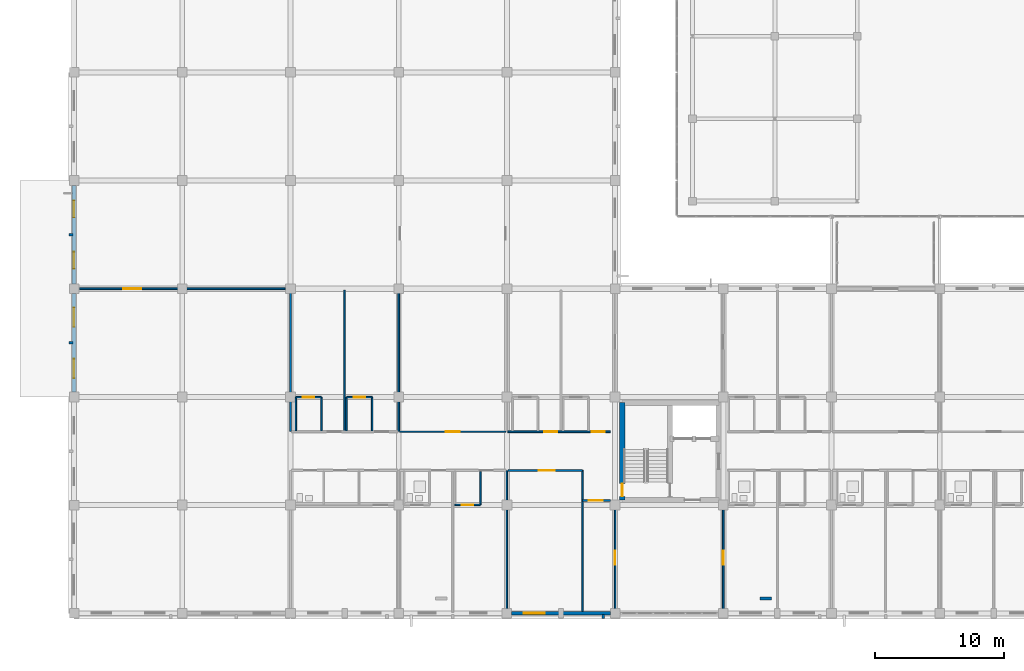
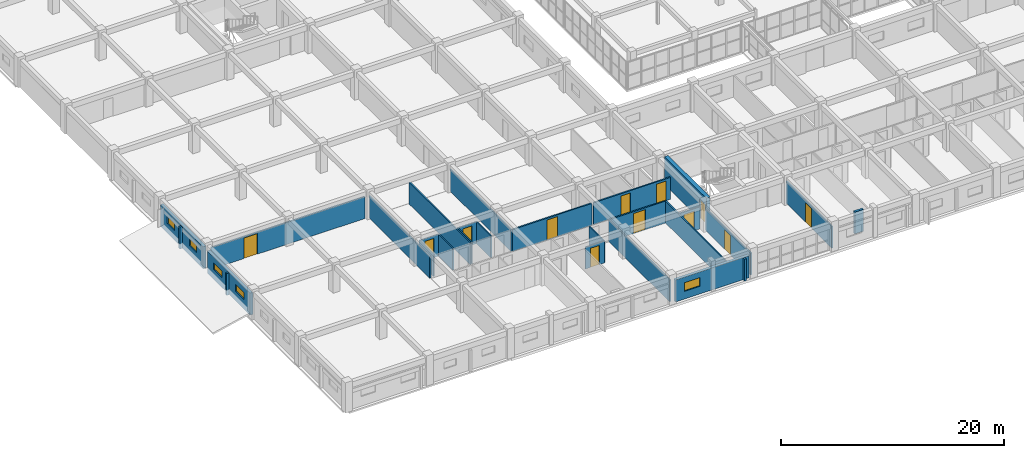
# One storey, part 163 of 200: 28 walls, 12 doors, 5 windows, 17 openings.
"""IFC4 building model written with IfcOpenShell, lengths in metres."""

from ifc_helpers import new_model, si_unit, direction, frame, frame_2d, origin, place, context, subcontext, project, spatial, rectangle, extrude, material, layer, layer_set, type_object, element, fill, save


model = new_model("IFC4")

# Units and contexts
model_context = context("Model", 3, precision=1e-05, world=origin(), true_north=direction((0.0, 1.0)))
body_context = subcontext(model_context, "Body", "Model", "MODEL_VIEW")
ifc_project = project(units=[si_unit("LENGTHUNIT", "METRE"), si_unit("AREAUNIT", "SQUARE_METRE"), si_unit("VOLUMEUNIT", "CUBIC_METRE"), si_unit("PLANEANGLEUNIT", "RADIAN"), si_unit("MASSUNIT", "GRAM", prefix="KILO")], contexts=[model_context])

# Site, building, storey
site_placement = place(None, origin())
site = spatial("IfcSite", under=ifc_project, at=site_placement, CompositionType="ELEMENT")
building_placement = place(site_placement, origin())
building = spatial("IfcBuilding", under=site, at=building_placement, Name="Trelvath General Hospital", CompositionType="ELEMENT")
storey_placement = place(building_placement, frame((0.0, 0.0, 4.800048828125)))
storey = spatial("IfcBuildingStorey", under=building, at=storey_placement, Name="L01", CompositionType="ELEMENT", Elevation=4.800048828125)

# Walls
ifc_material_1 = material(Name="Precast concrete C40/50", Category="concrete")
ifc_layer_1 = layer(ifc_material_1, 0.199951171875)
ifc_layer_set_1 = layer_set([ifc_layer_1], Name="Precast concrete C40/50")
wall_type_1 = type_object("IfcWallType", Name="BriseSoleilRib 200", PredefinedType="ELEMENTEDWALL", material=ifc_layer_set_1)
for number, where, z_axis, x_axis, name in (
    (1, (-0.074951171875, 21.0, 0.0), (0.0, 0.0, 1.0), (-1.0, 0.0, 0.0), "Precast Concrete Brise-Soleil Rib Fin L01-74"),
    (2, (-0.074951171875, 29.39990234375, 0.0), (0.0, 0.0, 1.0), (-1.0, 0.0, 0.0), "Precast Concrete Brise-Soleil Rib Fin L01-75"),
    (3, (41.09375, -0.074951171875, 0.0), (0.0, 0.0, 1.0), (0.0, -1.0, 0.0), "Precast Concrete Brise-Soleil Rib Fin L01-91"),
):
    element("IfcWall", number, at=place(storey_placement, frame(where, z_axis=z_axis, x_axis=x_axis)), inside=storey, type_object=wall_type_1, Name=name, PredefinedType="ELEMENTEDWALL", context=body_context, shape_type="SweptSolid", body=[
        extrude(rectangle(XDim=0.340087890625, YDim=0.199951171875, at=frame_2d((0.169921875, 0.0))), origin(), (0.0, 0.0, 1.0), 2.39990234375),
    ])

# Wall, opening, door
ifc_material_2 = material(Name="Gypsum acoustic steel-stud partition", Category="steel")
ifc_layer_2 = layer(ifc_material_2, 0.14990234375)
ifc_layer_set_2 = layer_set([ifc_layer_2], Name="Gypsum acoustic steel-stud partition")
wall_type_2 = type_object("IfcWallType", Name="ClinicalPartition 150", PredefinedType="PARTITIONING", material=ifc_layer_set_2)
wall_1_placement = place(storey_placement, frame((33.52001953125, 14.10009765625, 0.0), z_axis=(0.0, 0.0, 1.0), x_axis=(-1.0, 0.0, 0.0)))
wall_1 = element("IfcWall", 4, at=wall_1_placement, inside=storey, type_object=wall_type_2, Name="Corridor Partition N L01-371", PredefinedType="PARTITIONING", context=body_context, shape_type="SweptSolid", body=[
    extrude(rectangle(XDim=8.239990234375, YDim=0.14990234375, at=frame_2d((4.1201171875, 0.0))), origin(), (0.0, 0.0, 1.0), 2.39990234375),
])
opening_1_placement = place(wall_1_placement, frame((3.570068359375, 0.0, 0.0)))
opening_1 = element("IfcOpeningElement", 5, at=opening_1_placement, cuts=wall_1, Name="Opening D-1-0470", PredefinedType="OPENING", context=body_context, shape_type="SweptSolid", body=[
    extrude(rectangle(XDim=1.10009765625, YDim=2.199951171875, at=frame_2d((0.550048828125, 1.10009765625))), frame((0.0, 0.0849609375, 0.0), z_axis=(0.0, -1.0, 0.0), x_axis=(1.0, 0.0, 0.0)), (0.0, 0.0, 1.0), 0.169921875),
])
ifc_material_3 = material(Name="Phenolic laboratory door")
door_type_1 = type_object("IfcDoorType", Name="Door Lab 1100x2200", OperationType="NOTDEFINED", PredefinedType="DOOR", material=ifc_material_3)
door_1_placement = place(opening_1_placement, origin())
door_1 = element("IfcDoor", 6, at=door_1_placement, inside=storey, type_object=door_type_1, Name="Clinical Room Door L01-470", OperationType="SINGLE_SWING_RIGHT", OverallHeight=2.199951171875, OverallWidth=1.10009765625, PredefinedType="DOOR", context=body_context, shape_type="SweptSolid", body=[
    extrude(rectangle(XDim=1.10009765625, YDim=2.199951171875, at=frame_2d((0.550048828125, 1.10009765625))), frame((0.0, 0.02490234375, 0.0), z_axis=(0.0, -1.0, 0.0), x_axis=(1.0, 0.0, 0.0)), (0.0, 0.0, 1.0), 0.050048828125),
])
fill(opening_1, door_1)

wall_2_placement = place(storey_placement, frame((33.679931640625, 11.10009765625, 0.0), z_axis=(0.0, 0.0, 1.0), x_axis=(1.0, 0.0, 0.0)))
wall_2 = element("IfcWall", 7, at=wall_2_placement, inside=storey, type_object=wall_type_2, Name="Nurse Station Partition L01-374", PredefinedType="PARTITIONING", context=body_context, shape_type="SweptSolid", body=[
    extrude(rectangle(XDim=5.780029296875, YDim=0.14990234375, at=frame_2d((2.89013671875, 0.0))), origin(), (0.0, 0.0, 1.0), 2.39990234375),
])
opening_2_placement = place(wall_2_placement, frame((2.3798828125, 0.0, 0.0)))
opening_2 = element("IfcOpeningElement", 8, at=opening_2_placement, cuts=wall_2, Name="Opening D-1-0471", PredefinedType="OPENING", context=body_context, shape_type="SweptSolid", body=[
    extrude(rectangle(XDim=1.25, YDim=2.199951171875, at=frame_2d((0.625, 1.10009765625))), frame((0.0, 0.0849609375, 0.0), z_axis=(0.0, -1.0, 0.0), x_axis=(1.0, 0.0, 0.0)), (0.0, 0.0, 1.0), 0.169921875),
])
ifc_material_4 = material(Name="Acoustic hospital timber leaf", Category="wood")
door_type_2 = type_object("IfcDoorType", Name="Door Treatment 1250x2200", OperationType="NOTDEFINED", PredefinedType="DOOR", material=ifc_material_4)
door_2_placement = place(opening_2_placement, origin())
door_2 = element("IfcDoor", 9, at=door_2_placement, inside=storey, type_object=door_type_2, Name="Nurse Station Door L01-471", OperationType="SINGLE_SWING_LEFT", OverallHeight=2.199951171875, OverallWidth=1.25, PredefinedType="DOOR", context=body_context, shape_type="SweptSolid", body=[
    extrude(rectangle(XDim=1.25, YDim=2.199951171875, at=frame_2d((0.625, 1.10009765625))), frame((0.0, 0.02490234375, 0.0), z_axis=(0.0, -1.0, 0.0), x_axis=(1.0, 0.0, 0.0)), (0.0, 0.0, 1.0), 0.050048828125),
])
fill(opening_2, door_2)

wall_3_placement = place(storey_placement, frame((39.4599609375, 8.760009765625, 0.0), z_axis=(0.0, 0.0, 1.0), x_axis=(1.0, 0.0, 0.0)))
wall_3 = element("IfcWall", 10, at=wall_3_placement, inside=storey, type_object=wall_type_2, Name="Clean Utility Partition L01-376", PredefinedType="PARTITIONING", context=body_context, shape_type="SweptSolid", body=[
    extrude(rectangle(XDim=2.179931640625, YDim=0.14990234375, at=frame_2d((1.08984375, 0.0))), origin(), (0.0, 0.0, 1.0), 2.39990234375),
])
opening_3_placement = place(wall_3_placement, frame((0.5, 0.0, 0.0)))
opening_3 = element("IfcOpeningElement", 11, at=opening_3_placement, cuts=wall_3, Name="Opening D-1-0472", PredefinedType="OPENING", context=body_context, shape_type="SweptSolid", body=[
    extrude(rectangle(XDim=1.080078125, YDim=2.14990234375, at=frame_2d((0.5400390625, 1.074951171875))), frame((0.0, 0.0849609375, 0.0), z_axis=(0.0, -1.0, 0.0), x_axis=(1.0, 0.0, 0.0)), (0.0, 0.0, 1.0), 0.169921875),
])
ifc_material_5 = material(Name="Acoustic hospital timber leaf", Category="wood")
door_type_3 = type_object("IfcDoorType", Name="Door CleanSupply 1080x2150", OperationType="NOTDEFINED", PredefinedType="DOOR", material=ifc_material_5)
door_3_placement = place(opening_3_placement, origin())
door_3 = element("IfcDoor", 12, at=door_3_placement, inside=storey, type_object=door_type_3, Name="Clean Utility Door L01-472", OperationType="SINGLE_SWING_RIGHT", OverallHeight=2.14990234375, OverallWidth=1.080078125, PredefinedType="DOOR", context=body_context, shape_type="SweptSolid", body=[
    extrude(rectangle(XDim=1.080078125, YDim=2.14990234375, at=frame_2d((0.5400390625, 1.074951171875))), frame((0.0, 0.02490234375, 0.0), z_axis=(0.0, -1.0, 0.0), x_axis=(1.0, 0.0, 0.0)), (0.0, 0.0, 1.0), 0.050048828125),
])
fill(opening_3, door_3)

# Wall, openings, doors
wall_4_placement = place(storey_placement, frame((41.639892578125, 14.10009765625, 0.0), z_axis=(0.0, 0.0, 1.0), x_axis=(-1.0, 0.0, 0.0)))
wall_4 = element("IfcWall", 13, at=wall_4_placement, inside=storey, type_object=wall_type_2, Name="Corridor Partition N L01-377", PredefinedType="PARTITIONING", context=body_context, shape_type="SweptSolid", body=[
    extrude(rectangle(XDim=7.9599609375, YDim=0.14990234375, at=frame_2d((3.97998046875, 0.0))), origin(), (0.0, 0.0, 1.0), 2.39990234375),
])
opening_4_placement = place(wall_4_placement, frame((0.449951171875, 0.0, 0.0)))
opening_4 = element("IfcOpeningElement", 14, at=opening_4_placement, cuts=wall_4, Name="Opening D-1-0473", PredefinedType="OPENING", context=body_context, shape_type="SweptSolid", body=[
    extrude(rectangle(XDim=1.0, YDim=2.14990234375, at=frame_2d((0.5, 1.074951171875))), frame((0.0, 0.0849609375, 0.0), z_axis=(0.0, -1.0, 0.0), x_axis=(1.0, 0.0, 0.0)), (0.0, 0.0, 1.0), 0.169921875),
])
opening_5_placement = place(wall_4_placement, frame((4.14990234375, 0.0, 0.0)))
opening_5 = element("IfcOpeningElement", 15, at=opening_5_placement, cuts=wall_4, Name="Opening D-1-0474", PredefinedType="OPENING", context=body_context, shape_type="SweptSolid", body=[
    extrude(rectangle(XDim=1.0, YDim=2.14990234375, at=frame_2d((0.5, 1.074951171875))), frame((0.0, 0.0849609375, 0.0), z_axis=(0.0, -1.0, 0.0), x_axis=(1.0, 0.0, 0.0)), (0.0, 0.0, 1.0), 0.169921875),
])
ifc_material_6 = material(Name="Acoustic hospital timber leaf", Category="wood")
door_type_4 = type_object("IfcDoorType", Name="Door Consult 1000x2150", OperationType="NOTDEFINED", PredefinedType="DOOR", material=ifc_material_6)
door_4_placement = place(opening_4_placement, origin())
door_4 = element("IfcDoor", 16, at=door_4_placement, inside=storey, type_object=door_type_4, Name="Patient Room Door N L01-473", OperationType="SINGLE_SWING_LEFT", OverallHeight=2.14990234375, OverallWidth=1.0, PredefinedType="DOOR", context=body_context, shape_type="SweptSolid", body=[
    extrude(rectangle(XDim=1.0, YDim=2.14990234375, at=frame_2d((0.5, 1.074951171875))), frame((0.0, 0.02490234375, 0.0), z_axis=(0.0, -1.0, 0.0), x_axis=(1.0, 0.0, 0.0)), (0.0, 0.0, 1.0), 0.050048828125),
])
fill(opening_4, door_4)
door_5_placement = place(opening_5_placement, origin())
door_5 = element("IfcDoor", 17, at=door_5_placement, inside=storey, type_object=door_type_4, Name="Patient Room Door N L01-474", OperationType="SINGLE_SWING_LEFT", OverallHeight=2.14990234375, OverallWidth=1.0, PredefinedType="DOOR", context=body_context, shape_type="SweptSolid", body=[
    extrude(rectangle(XDim=1.0, YDim=2.14990234375, at=frame_2d((0.5, 1.074951171875))), frame((0.0, 0.02490234375, 0.0), z_axis=(0.0, -1.0, 0.0), x_axis=(1.0, 0.0, 0.0)), (0.0, 0.0, 1.0), 0.050048828125),
])
fill(opening_5, door_5)

# Wall, opening, door
wall_5_placement = place(storey_placement, frame((0.419921875, 25.199951171875, 0.0), z_axis=(0.0, 0.0, 1.0), x_axis=(1.0, 0.0, 0.0)))
wall_5 = element("IfcWall", 18, at=wall_5_placement, inside=storey, type_object=wall_type_2, Name="Surgical Supply Plant Partition L01-662", PredefinedType="PARTITIONING", context=body_context, shape_type="SweptSolid", body=[
    extrude(rectangle(XDim=15.9599609375, YDim=0.14990234375, at=frame_2d((7.97998046875, 0.0))), origin(), (0.0, 0.0, 1.0), 2.39990234375),
])
opening_6_placement = place(wall_5_placement, frame((3.39990234375, 0.0, 0.0)))
opening_6 = element("IfcOpeningElement", 19, at=opening_6_placement, cuts=wall_5, Name="Opening D-1-0612", PredefinedType="OPENING", context=body_context, shape_type="SweptSolid", body=[
    extrude(rectangle(XDim=1.39990234375, YDim=2.25, at=frame_2d((0.699951171875, 1.125))), frame((0.0, 0.0849609375, 0.0), z_axis=(0.0, -1.0, 0.0), x_axis=(1.0, 0.0, 0.0)), (0.0, 0.0, 1.0), 0.169921875),
])
ifc_material_7 = material(Name="Fire-rated steel plant pair", Category="steel")
door_type_5 = type_object("IfcDoorType", Name="Door Plant 1400x2250", OperationType="DOUBLE_SWING_LEFT", PredefinedType="DOOR", material=ifc_material_7)
door_6_placement = place(opening_6_placement, origin())
door_6 = element("IfcDoor", 20, at=door_6_placement, inside=storey, type_object=door_type_5, Name="Surgical Supply Plant Door L01-612", OperationType="DOUBLE_SWING_LEFT", OverallHeight=2.25, OverallWidth=1.39990234375, PredefinedType="DOOR", context=body_context, shape_type="SweptSolid", body=[
    extrude(rectangle(XDim=1.39990234375, YDim=2.25, at=frame_2d((0.699951171875, 1.125))), frame((0.0, 0.02490234375, 0.0), z_axis=(0.0, -1.0, 0.0), x_axis=(1.0, 0.0, 0.0)), (0.0, 0.0, 1.0), 0.050048828125),
])
fill(opening_6, door_6)

ifc_material_8 = material(Name="Concrete C40/50", Category="concrete")
ifc_layer_3 = layer(ifc_material_8, 0.39990234375)
ifc_layer_set_3 = layer_set([ifc_layer_3], Name="Concrete C40/50")
wall_type_3 = type_object("IfcWallType", Name="CoreShearWall 400", PredefinedType="SHEAR", material=ifc_layer_set_3)
wall_6_placement = place(storey_placement, frame((42.550048828125, 8.800048828125, 0.0), z_axis=(0.0, 0.0, 1.0), x_axis=(0.0, 1.0, 0.0)))
wall_6 = element("IfcWall", 21, at=wall_6_placement, inside=storey, type_object=wall_type_3, Name="Core Shear Wall C4 W L01", PredefinedType="SHEAR", context=body_context, shape_type="SweptSolid", body=[
    extrude(rectangle(XDim=7.550048828125, YDim=0.39990234375, at=frame_2d((3.77490234375, 0.0))), origin(), (0.0, 0.0, 1.0), 3.02001953125),
])
opening_7_placement = place(wall_6_placement, frame((0.280029296875, 0.0, 0.0)))
opening_7 = element("IfcOpeningElement", 22, at=opening_7_placement, cuts=wall_6, Name="Opening FD-SW41", PredefinedType="OPENING", context=body_context, shape_type="SweptSolid", body=[
    extrude(rectangle(XDim=1.0, YDim=2.14990234375, at=frame_2d((0.5, 1.074951171875))), frame((0.0, 0.2099609375, 0.0), z_axis=(0.0, -1.0, 0.0), x_axis=(1.0, 0.0, 0.0)), (0.0, 0.0, 1.0), 0.419921875),
])
ifc_material_9 = material(Name="Fire-rated steel door", Category="steel")
door_type_6 = type_object("IfcDoorType", Name="Door FireStair 1100x2150", OperationType="NOTDEFINED", PredefinedType="DOOR", material=ifc_material_9)
door_7_placement = place(opening_7_placement, origin())
door_7 = element("IfcDoor", 23, at=door_7_placement, inside=storey, type_object=door_type_6, Name="West Corridor Stair Door ST4 L01", OperationType="SINGLE_SWING_RIGHT", OverallHeight=2.14990234375, OverallWidth=1.0, PredefinedType="DOOR", context=body_context, shape_type="SweptSolid", body=[
    extrude(rectangle(XDim=1.0, YDim=2.14990234375, at=frame_2d((0.5, 1.074951171875))), frame((0.0, 0.02490234375, 0.0), z_axis=(0.0, -1.0, 0.0), x_axis=(1.0, 0.0, 0.0)), (0.0, 0.0, 1.0), 0.050048828125),
])
fill(opening_7, door_7)

# Walls
ifc_material_10 = material(Name="Moisture-resistant tile partition")
ifc_layer_4 = layer(ifc_material_10, 0.110107421875)
ifc_layer_set_4 = layer_set([ifc_layer_4], Name="Moisture-resistant tile partition")
wall_type_4 = type_object("IfcWallType", Name="EnSuiteWetWall 110", PredefinedType="PARTITIONING", material=ifc_layer_set_4)
for number, where, z_axis, x_axis, name in (
    (24, (17.219970703125, 14.169921875, 0.0), (0.0, 0.0, 1.0), (0.0, 1.0, 0.0), "En-Suite W Wall N L01-354"),
    (25, (19.199951171875, 14.169921875, 0.0), (0.0, 0.0, 1.0), (0.0, 1.0, 0.0), "En-Suite E Wall N L01-355"),
):
    element("IfcWall", number, at=place(storey_placement, frame(where, z_axis=z_axis, x_axis=x_axis)), inside=storey, type_object=wall_type_4, Name=name, PredefinedType="PARTITIONING", context=body_context, shape_type="SweptSolid", body=[
        extrude(rectangle(XDim=2.610107421875, YDim=0.110107421875, at=frame_2d((1.30517578125, 0.0))), origin(), (0.0, 0.0, 1.0), 2.39990234375),
    ])

# Wall, opening, door
wall_7_placement = place(storey_placement, frame((17.219970703125, 16.780029296875, 0.0), z_axis=(0.0, 0.0, 1.0), x_axis=(1.0, 0.0, 0.0)))
wall_7 = element("IfcWall", 26, at=wall_7_placement, inside=storey, type_object=wall_type_4, Name="En-Suite Bathroom N Partition L01-356", PredefinedType="PARTITIONING", context=body_context, shape_type="SweptSolid", body=[
    extrude(rectangle(XDim=1.97998046875, YDim=0.110107421875, at=frame_2d((0.989990234375, 0.0))), origin(), (0.0, 0.0, 1.0), 2.39990234375),
])
opening_8_placement = place(wall_7_placement, frame((0.5400390625, 0.0, 0.0)))
opening_8 = element("IfcOpeningElement", 27, at=opening_8_placement, cuts=wall_7, Name="Opening D-1-0464", PredefinedType="OPENING", context=body_context, shape_type="SweptSolid", body=[
    extrude(rectangle(XDim=0.89990234375, YDim=2.10009765625, at=frame_2d((0.449951171875, 1.050048828125))), frame((0.0, 0.06494140625, 0.0), z_axis=(0.0, -1.0, 0.0), x_axis=(1.0, 0.0, 0.0)), (0.0, 0.0, 1.0), 0.130126953125),
])
ifc_material_11 = material(Name="Moisture-sealed timber leaf", Category="wood")
door_type_7 = type_object("IfcDoorType", Name="Door EnSuite 900x2100", OperationType="NOTDEFINED", PredefinedType="DOOR", material=ifc_material_11)
door_8_placement = place(opening_8_placement, origin())
door_8 = element("IfcDoor", 28, at=door_8_placement, inside=storey, type_object=door_type_7, Name="En-Suite Bathroom N Door L01-464", OperationType="SINGLE_SWING_RIGHT", OverallHeight=2.10009765625, OverallWidth=0.89990234375, PredefinedType="DOOR", context=body_context, shape_type="SweptSolid", body=[
    extrude(rectangle(XDim=0.89990234375, YDim=2.10009765625, at=frame_2d((0.449951171875, 1.050048828125))), frame((0.0, 0.02490234375, 0.0), z_axis=(0.0, -1.0, 0.0), x_axis=(1.0, 0.0, 0.0)), (0.0, 0.0, 1.0), 0.050048828125),
])
fill(opening_8, door_8)

# Walls
for number, where, z_axis, x_axis, name in (
    (29, (21.159912109375, 14.169921875, 0.0), (0.0, 0.0, 1.0), (0.0, 1.0, 0.0), "En-Suite W Wall N L01-357"),
    (30, (23.139892578125, 14.169921875, 0.0), (0.0, 0.0, 1.0), (0.0, 1.0, 0.0), "En-Suite E Wall N L01-358"),
):
    element("IfcWall", number, at=place(storey_placement, frame(where, z_axis=z_axis, x_axis=x_axis)), inside=storey, type_object=wall_type_4, Name=name, PredefinedType="PARTITIONING", context=body_context, shape_type="SweptSolid", body=[
        extrude(rectangle(XDim=2.610107421875, YDim=0.110107421875, at=frame_2d((1.30517578125, 0.0))), origin(), (0.0, 0.0, 1.0), 2.39990234375),
    ])

# Wall, opening, door
wall_8_placement = place(storey_placement, frame((21.159912109375, 16.780029296875, 0.0), z_axis=(0.0, 0.0, 1.0), x_axis=(1.0, 0.0, 0.0)))
wall_8 = element("IfcWall", 31, at=wall_8_placement, inside=storey, type_object=wall_type_4, Name="En-Suite Bathroom N Partition L01-359", PredefinedType="PARTITIONING", context=body_context, shape_type="SweptSolid", body=[
    extrude(rectangle(XDim=1.97998046875, YDim=0.110107421875, at=frame_2d((0.989990234375, 0.0))), origin(), (0.0, 0.0, 1.0), 2.39990234375),
])
opening_9_placement = place(wall_8_placement, frame((0.5400390625, 0.0, 0.0)))
opening_9 = element("IfcOpeningElement", 32, at=opening_9_placement, cuts=wall_8, Name="Opening D-1-0465", PredefinedType="OPENING", context=body_context, shape_type="SweptSolid", body=[
    extrude(rectangle(XDim=0.89990234375, YDim=2.10009765625, at=frame_2d((0.449951171875, 1.050048828125))), frame((0.0, 0.06494140625, 0.0), z_axis=(0.0, -1.0, 0.0), x_axis=(1.0, 0.0, 0.0)), (0.0, 0.0, 1.0), 0.130126953125),
])
door_9_placement = place(opening_9_placement, origin())
door_9 = element("IfcDoor", 33, at=door_9_placement, inside=storey, type_object=door_type_7, Name="En-Suite Bathroom N Door L01-465", OperationType="SINGLE_SWING_LEFT", OverallHeight=2.10009765625, OverallWidth=0.89990234375, PredefinedType="DOOR", context=body_context, shape_type="SweptSolid", body=[
    extrude(rectangle(XDim=0.89990234375, YDim=2.10009765625, at=frame_2d((0.449951171875, 1.050048828125))), frame((0.0, 0.02490234375, 0.0), z_axis=(0.0, -1.0, 0.0), x_axis=(1.0, 0.0, 0.0)), (0.0, 0.0, 1.0), 0.050048828125),
])
fill(opening_9, door_9)

# Wall
wall_9_placement = place(storey_placement, frame((31.5400390625, 8.419921875, 0.0), z_axis=(0.0, 0.0, 1.0), x_axis=(0.0, 1.0, 0.0)))
element("IfcWall", 34, at=wall_9_placement, inside=storey, type_object=wall_type_4, Name="En-Suite E Wall L01-368", PredefinedType="PARTITIONING", context=body_context, shape_type="SweptSolid", body=[
    extrude(rectangle(XDim=2.610107421875, YDim=0.110107421875, at=frame_2d((1.30517578125, 0.0))), origin(), (0.0, 0.0, 1.0), 2.39990234375),
])

# Wall, opening, door
wall_10_placement = place(storey_placement, frame((29.56005859375, 8.419921875, 0.0), z_axis=(0.0, 0.0, 1.0), x_axis=(1.0, 0.0, 0.0)))
wall_10 = element("IfcWall", 35, at=wall_10_placement, inside=storey, type_object=wall_type_4, Name="En-Suite Bathroom Partition L01-369", PredefinedType="PARTITIONING", context=body_context, shape_type="SweptSolid", body=[
    extrude(rectangle(XDim=1.97998046875, YDim=0.110107421875, at=frame_2d((0.989990234375, 0.0))), origin(), (0.0, 0.0, 1.0), 2.39990234375),
])
opening_10_placement = place(wall_10_placement, frame((0.5400390625, 0.0, 0.0)))
opening_10 = element("IfcOpeningElement", 36, at=opening_10_placement, cuts=wall_10, Name="Opening D-1-0469", PredefinedType="OPENING", context=body_context, shape_type="SweptSolid", body=[
    extrude(rectangle(XDim=0.89990234375, YDim=2.10009765625, at=frame_2d((0.449951171875, 1.050048828125))), frame((0.0, 0.06494140625, 0.0), z_axis=(0.0, -1.0, 0.0), x_axis=(1.0, 0.0, 0.0)), (0.0, 0.0, 1.0), 0.130126953125),
])
door_10_placement = place(opening_10_placement, origin())
door_10 = element("IfcDoor", 37, at=door_10_placement, inside=storey, type_object=door_type_7, Name="En-Suite Bathroom Door L01-469", OperationType="SINGLE_SWING_LEFT", OverallHeight=2.10009765625, OverallWidth=0.89990234375, PredefinedType="DOOR", context=body_context, shape_type="SweptSolid", body=[
    extrude(rectangle(XDim=0.89990234375, YDim=2.10009765625, at=frame_2d((0.449951171875, 1.050048828125))), frame((0.0, 0.02490234375, 0.0), z_axis=(0.0, -1.0, 0.0), x_axis=(1.0, 0.0, 0.0)), (0.0, 0.0, 1.0), 0.050048828125),
])
fill(opening_10, door_10)

# Wall, openings, windows
ifc_material_12 = material(Name="Concrete C35/45", Category="concrete")
ifc_layer_5 = layer(ifc_material_12, 0.2900390625)
ifc_layer_set_5 = layer_set([ifc_layer_5], Name="Concrete C35/45")
wall_type_5 = type_object("IfcWallType", Name="ExtBushHammeredWall 290", PredefinedType="SOLIDWALL", material=ifc_layer_set_5)
wall_11_placement = place(storey_placement, frame((0.0, 17.169921875, 0.0), z_axis=(0.0, 0.0, 1.0), x_axis=(0.0, 1.0, 0.0)))
wall_11 = element("IfcWall", 38, at=wall_11_placement, inside=storey, type_object=wall_type_5, Name="Exterior Concrete Wall L01-111", PredefinedType="SOLIDWALL", context=body_context, shape_type="SweptSolid", body=[
    extrude(rectangle(XDim=7.66015625, YDim=0.2900390625, at=frame_2d((3.830078125, 0.0))), origin(), (0.0, 0.0, 1.0), 2.419921875),
])
opening_11_placement = place(wall_11_placement, frame((1.08837890625, 0.0, 1.050048828125)))
opening_11 = element("IfcOpeningElement", 39, at=opening_11_placement, cuts=wall_11, Name="Opening WN-1-155", PredefinedType="OPENING", context=body_context, shape_type="SweptSolid", body=[
    extrude(rectangle(XDim=1.5, YDim=0.75, at=frame_2d((0.75, 0.375))), frame((0.0, 0.155029296875, 0.0), z_axis=(0.0, -1.0, 0.0), x_axis=(1.0, 0.0, 0.0)), (0.0, 0.0, 1.0), 0.31005859375),
])
opening_12_placement = place(wall_11_placement, frame((5.071533203125, 0.0, 1.050048828125)))
opening_12 = element("IfcOpeningElement", 40, at=opening_12_placement, cuts=wall_11, Name="Opening WN-1-156", PredefinedType="OPENING", context=body_context, shape_type="SweptSolid", body=[
    extrude(rectangle(XDim=1.5, YDim=0.75, at=frame_2d((0.75, 0.375))), frame((0.0, 0.155029296875, 0.0), z_axis=(0.0, -1.0, 0.0), x_axis=(1.0, 0.0, 0.0)), (0.0, 0.0, 1.0), 0.31005859375),
])
ifc_material_13 = material(Name="Low-E laminated glass", Category="glass")
window_type_1 = type_object("IfcWindowType", Name="Window InterstitialVent 1500x750", PartitioningType="DOUBLE_PANEL_HORIZONTAL", PredefinedType="WINDOW", material=ifc_material_13)
window_1_placement = place(opening_11_placement, origin())
window_1 = element("IfcWindow", 41, at=window_1_placement, inside=storey, type_object=window_type_1, Name="Solar Reveal Window L01-155", OverallHeight=0.75, OverallWidth=1.5, PartitioningType="SINGLE_PANEL", PredefinedType="WINDOW", context=body_context, shape_type="SweptSolid", body=[
    extrude(rectangle(XDim=1.5, YDim=0.75, at=frame_2d((0.75, 0.375))), frame((0.0, 0.030029296875, 0.0), z_axis=(0.0, -1.0, 0.0), x_axis=(1.0, 0.0, 0.0)), (0.0, 0.0, 1.0), 0.06005859375),
])
fill(opening_11, window_1)
window_2_placement = place(opening_12_placement, origin())
window_2 = element("IfcWindow", 42, at=window_2_placement, inside=storey, type_object=window_type_1, Name="Solar Reveal Window L01-156", OverallHeight=0.75, OverallWidth=1.5, PartitioningType="SINGLE_PANEL", PredefinedType="WINDOW", context=body_context, shape_type="SweptSolid", body=[
    extrude(rectangle(XDim=1.5, YDim=0.75, at=frame_2d((0.75, 0.375))), frame((0.0, 0.030029296875, 0.0), z_axis=(0.0, -1.0, 0.0), x_axis=(1.0, 0.0, 0.0)), (0.0, 0.0, 1.0), 0.06005859375),
])
fill(opening_12, window_2)

wall_12_placement = place(storey_placement, frame((0.0, 25.570068359375, 0.0), z_axis=(0.0, 0.0, 1.0), x_axis=(0.0, 1.0, 0.0)))
wall_12 = element("IfcWall", 43, at=wall_12_placement, inside=storey, type_object=wall_type_5, Name="Exterior Concrete Wall L01-112", PredefinedType="SOLIDWALL", context=body_context, shape_type="SweptSolid", body=[
    extrude(rectangle(XDim=7.659912109375, YDim=0.2900390625, at=frame_2d((3.830078125, 0.0))), origin(), (0.0, 0.0, 1.0), 2.419921875),
])
opening_13_placement = place(wall_12_placement, frame((1.1884765625, 0.0, 1.050048828125)))
opening_13 = element("IfcOpeningElement", 44, at=opening_13_placement, cuts=wall_12, Name="Opening WN-1-157", PredefinedType="OPENING", context=body_context, shape_type="SweptSolid", body=[
    extrude(rectangle(XDim=1.300048828125, YDim=0.75, at=frame_2d((0.64990234375, 0.375))), frame((0.0, 0.155029296875, 0.0), z_axis=(0.0, -1.0, 0.0), x_axis=(1.0, 0.0, 0.0)), (0.0, 0.0, 1.0), 0.31005859375),
])
opening_14_placement = place(wall_12_placement, frame((5.171630859375, 0.0, 1.050048828125)))
opening_14 = element("IfcOpeningElement", 45, at=opening_14_placement, cuts=wall_12, Name="Opening WN-1-158", PredefinedType="OPENING", context=body_context, shape_type="SweptSolid", body=[
    extrude(rectangle(XDim=1.300048828125, YDim=0.75, at=frame_2d((0.64990234375, 0.375))), frame((0.0, 0.155029296875, 0.0), z_axis=(0.0, -1.0, 0.0), x_axis=(1.0, 0.0, 0.0)), (0.0, 0.0, 1.0), 0.31005859375),
])
ifc_material_14 = material(Name="Low-E laminated glass", Category="glass")
window_type_2 = type_object("IfcWindowType", Name="Window InterstitialVent 1300x750", PartitioningType="DOUBLE_PANEL_HORIZONTAL", PredefinedType="WINDOW", material=ifc_material_14)
window_3_placement = place(opening_13_placement, origin())
window_3 = element("IfcWindow", 46, at=window_3_placement, inside=storey, type_object=window_type_2, Name="Solar Reveal Window L01-157", OverallHeight=0.75, OverallWidth=1.300048828125, PartitioningType="SINGLE_PANEL", PredefinedType="WINDOW", context=body_context, shape_type="SweptSolid", body=[
    extrude(rectangle(XDim=1.300048828125, YDim=0.75, at=frame_2d((0.64990234375, 0.375))), frame((0.0, 0.030029296875, 0.0), z_axis=(0.0, -1.0, 0.0), x_axis=(1.0, 0.0, 0.0)), (0.0, 0.0, 1.0), 0.06005859375),
])
fill(opening_13, window_3)
window_4_placement = place(opening_14_placement, origin())
window_4 = element("IfcWindow", 47, at=window_4_placement, inside=storey, type_object=window_type_2, Name="Solar Reveal Window L01-158", OverallHeight=0.75, OverallWidth=1.300048828125, PartitioningType="SINGLE_PANEL", PredefinedType="WINDOW", context=body_context, shape_type="SweptSolid", body=[
    extrude(rectangle(XDim=1.300048828125, YDim=0.75, at=frame_2d((0.64990234375, 0.375))), frame((0.0, 0.030029296875, 0.0), z_axis=(0.0, -1.0, 0.0), x_axis=(1.0, 0.0, 0.0)), (0.0, 0.0, 1.0), 0.06005859375),
])
fill(opening_14, window_4)

# Wall, opening, window
wall_13_placement = place(storey_placement, frame((41.6298828125, 0.0, 0.0), z_axis=(0.0, 0.0, 1.0), x_axis=(-1.0, 0.0, 0.0)))
wall_13 = element("IfcWall", 48, at=wall_13_placement, inside=storey, type_object=wall_type_5, Name="Exterior Concrete Wall L01-130", PredefinedType="SOLIDWALL", context=body_context, shape_type="SweptSolid", body=[
    extrude(rectangle(XDim=7.659912109375, YDim=0.2900390625, at=frame_2d((3.830078125, 0.0))), origin(), (0.0, 0.0, 1.0), 2.419921875),
])
opening_15_placement = place(wall_13_placement, frame((5.088134765625, 0.0, 0.85009765625)))
opening_15 = element("IfcOpeningElement", 49, at=opening_15_placement, cuts=wall_13, Name="Opening WN-1-190", PredefinedType="OPENING", context=body_context, shape_type="SweptSolid", body=[
    extrude(rectangle(XDim=1.6201171875, YDim=0.949951171875, at=frame_2d((0.81005859375, 0.47509765625))), frame((0.0, 0.155029296875, 0.0), z_axis=(0.0, -1.0, 0.0), x_axis=(1.0, 0.0, 0.0)), (0.0, 0.0, 1.0), 0.31005859375),
])
ifc_material_15 = material(Name="Low-E laminated glass", Category="glass")
window_type_3 = type_object("IfcWindowType", Name="Window EmergencyClere 1620x950", PartitioningType="DOUBLE_PANEL_VERTICAL", PredefinedType="WINDOW", material=ifc_material_15)
window_5_placement = place(opening_15_placement, origin())
window_5 = element("IfcWindow", 50, at=window_5_placement, inside=storey, type_object=window_type_3, Name="Solar Reveal Window L01-190", OverallHeight=0.949951171875, OverallWidth=1.6201171875, PartitioningType="SINGLE_PANEL", PredefinedType="WINDOW", context=body_context, shape_type="SweptSolid", body=[
    extrude(rectangle(XDim=1.6201171875, YDim=0.949951171875, at=frame_2d((0.81005859375, 0.47509765625))), frame((0.0, 0.030029296875, 0.0), z_axis=(0.0, -1.0, 0.0), x_axis=(1.0, 0.0, 0.0)), (0.0, 0.0, 1.0), 0.06005859375),
])
fill(opening_15, window_5)

# Walls
ifc_material_16 = material(Name="Masonry service chase blockwork", Category="masonry")
ifc_layer_6 = layer(ifc_material_16, 0.239990234375)
ifc_layer_set_6 = layer_set([ifc_layer_6], Name="Masonry service chase blockwork")
wall_type_6 = type_object("IfcWallType", Name="PlumbingChaseWall 240", PredefinedType="PLUMBINGWALL", material=ifc_layer_set_6)
wall_14_placement = place(storey_placement, frame((53.25, 1.14990234375, 0.0), z_axis=(0.0, 0.0, 1.0), x_axis=(1.0, 0.0, 0.0)))
element("IfcWall", 51, at=wall_14_placement, inside=storey, type_object=wall_type_6, Name="Medical Gas Plumbing Chase L01-397", PredefinedType="PLUMBINGWALL", context=body_context, shape_type="SweptSolid", body=[
    extrude(rectangle(XDim=0.89990234375, YDim=0.239990234375, at=frame_2d((0.449951171875, 0.0))), origin(), (0.0, 0.0, 1.0), 2.39990234375),
])
ifc_material_17 = material(Name="Gypsum acoustic steel-stud partition", Category="steel")
ifc_layer_7 = layer(ifc_material_17, 0.1298828125)
ifc_layer_set_7 = layer_set([ifc_layer_7], Name="Gypsum acoustic steel-stud partition")
wall_type_7 = type_object("IfcWallType", Name="WardPartition 130", PredefinedType="PARTITIONING", material=ifc_layer_set_7)
wall_15_placement = place(storey_placement, frame((16.800048828125, 14.1201171875, 0.0), z_axis=(0.0, 0.0, 1.0), x_axis=(0.0, 1.0, 0.0)))
element("IfcWall", 52, at=wall_15_placement, inside=storey, type_object=wall_type_7, Name="Inter-Bay Ward Partition N L01-347", PredefinedType="PARTITIONING", context=body_context, shape_type="SweptSolid", body=[
    extrude(rectangle(XDim=10.93994140625, YDim=0.1298828125, at=frame_2d((5.469970703125, 0.0))), origin(), (0.0, 0.0, 1.0), 2.39990234375),
])
wall_16_placement = place(storey_placement, frame((21.0, 14.169921875, 0.0), z_axis=(0.0, 0.0, 1.0), x_axis=(0.0, 1.0, 0.0)))
element("IfcWall", 53, at=wall_16_placement, inside=storey, type_object=wall_type_7, Name="Room Dividing Partition N L01-353", PredefinedType="PARTITIONING", context=body_context, shape_type="SweptSolid", body=[
    extrude(rectangle(XDim=10.93017578125, YDim=0.1298828125, at=frame_2d((5.465087890625, 0.0))), origin(), (0.0, 0.0, 1.0), 2.39990234375),
])
wall_17_placement = place(storey_placement, frame((25.199951171875, 14.1201171875, 0.0), z_axis=(0.0, 0.0, 1.0), x_axis=(0.0, 1.0, 0.0)))
element("IfcWall", 54, at=wall_17_placement, inside=storey, type_object=wall_type_7, Name="Inter-Bay Ward Partition N L01-361", PredefinedType="PARTITIONING", context=body_context, shape_type="SweptSolid", body=[
    extrude(rectangle(XDim=10.93994140625, YDim=0.1298828125, at=frame_2d((5.469970703125, 0.0))), origin(), (0.0, 0.0, 1.0), 2.39990234375),
])
for number, where, z_axis, x_axis, name in (
    (55, (33.60009765625, 0.139892578125, 0.0), (0.0, 0.0, 1.0), (0.0, 1.0, 0.0), "Inter-Bay Ward Partition S L01-372"),
    (56, (39.4599609375, 0.159912109375, 0.0), (0.0, 0.0, 1.0), (0.0, 1.0, 0.0), "Nurse Alcove Partition L01-375"),
):
    element("IfcWall", number, at=place(storey_placement, frame(where, z_axis=z_axis, x_axis=x_axis)), inside=storey, type_object=wall_type_7, Name=name, PredefinedType="PARTITIONING", context=body_context, shape_type="SweptSolid", body=[
        extrude(rectangle(XDim=10.940185546875, YDim=0.1298828125, at=frame_2d((5.47021484375, 0.0))), origin(), (0.0, 0.0, 1.0), 2.39990234375),
    ])

# Wall, opening, door
wall_18_placement = place(storey_placement, frame((42.0, 0.139892578125, 0.0), z_axis=(0.0, 0.0, 1.0), x_axis=(0.0, 1.0, 0.0)))
wall_18 = element("IfcWall", 57, at=wall_18_placement, inside=storey, type_object=wall_type_7, Name="Inter-Bay Ward Partition S L01-385", PredefinedType="PARTITIONING", context=body_context, shape_type="SweptSolid", body=[
    extrude(rectangle(XDim=8.210205078125, YDim=0.1298828125, at=frame_2d((4.10498046875, 0.0))), origin(), (0.0, 0.0, 1.0), 2.39990234375),
])
opening_16_placement = place(wall_18_placement, frame((3.639892578125, 0.0, 0.0)))
opening_16 = element("IfcOpeningElement", 58, at=opening_16_placement, cuts=wall_18, Name="Opening D-1-0477", PredefinedType="OPENING", context=body_context, shape_type="SweptSolid", body=[
    extrude(rectangle(XDim=1.080078125, YDim=2.14990234375, at=frame_2d((0.5400390625, 1.074951171875))), frame((0.0, 0.074951171875, 0.0), z_axis=(0.0, -1.0, 0.0), x_axis=(1.0, 0.0, 0.0)), (0.0, 0.0, 1.0), 0.14990234375),
])
door_11_placement = place(opening_16_placement, origin())
door_11 = element("IfcDoor", 59, at=door_11_placement, inside=storey, type_object=door_type_3, Name="Clean Supply Connecting Door L01-477", OperationType="SINGLE_SWING_RIGHT", OverallHeight=2.14990234375, OverallWidth=1.080078125, PredefinedType="DOOR", context=body_context, shape_type="SweptSolid", body=[
    extrude(rectangle(XDim=1.080078125, YDim=2.14990234375, at=frame_2d((0.5400390625, 1.074951171875))), frame((0.0, 0.02490234375, 0.0), z_axis=(0.0, -1.0, 0.0), x_axis=(1.0, 0.0, 0.0)), (0.0, 0.0, 1.0), 0.050048828125),
])
fill(opening_16, door_11)

wall_19_placement = place(storey_placement, frame((50.39990234375, 0.139892578125, 0.0), z_axis=(0.0, 0.0, 1.0), x_axis=(0.0, 1.0, 0.0)))
wall_19 = element("IfcWall", 60, at=wall_19_placement, inside=storey, type_object=wall_type_7, Name="Inter-Bay Ward Partition S L01-387", PredefinedType="PARTITIONING", context=body_context, shape_type="SweptSolid", body=[
    extrude(rectangle(XDim=8.210205078125, YDim=0.1298828125, at=frame_2d((4.10498046875, 0.0))), origin(), (0.0, 0.0, 1.0), 2.39990234375),
])
opening_17_placement = place(wall_19_placement, frame((3.639892578125, 0.0, 0.0)))
opening_17 = element("IfcOpeningElement", 61, at=opening_17_placement, cuts=wall_19, Name="Opening D-1-0479", PredefinedType="OPENING", context=body_context, shape_type="SweptSolid", body=[
    extrude(rectangle(XDim=1.080078125, YDim=2.14990234375, at=frame_2d((0.5400390625, 1.074951171875))), frame((0.0, 0.074951171875, 0.0), z_axis=(0.0, -1.0, 0.0), x_axis=(1.0, 0.0, 0.0)), (0.0, 0.0, 1.0), 0.14990234375),
])
door_12_placement = place(opening_17_placement, origin())
door_12 = element("IfcDoor", 62, at=door_12_placement, inside=storey, type_object=door_type_3, Name="Clean Supply Connecting Door L01-479", OperationType="SINGLE_SWING_RIGHT", OverallHeight=2.14990234375, OverallWidth=1.080078125, PredefinedType="DOOR", context=body_context, shape_type="SweptSolid", body=[
    extrude(rectangle(XDim=1.080078125, YDim=2.14990234375, at=frame_2d((0.5400390625, 1.074951171875))), frame((0.0, 0.02490234375, 0.0), z_axis=(0.0, -1.0, 0.0), x_axis=(1.0, 0.0, 0.0)), (0.0, 0.0, 1.0), 0.050048828125),
])
fill(opening_17, door_12)

save(model, "model.ifc")
